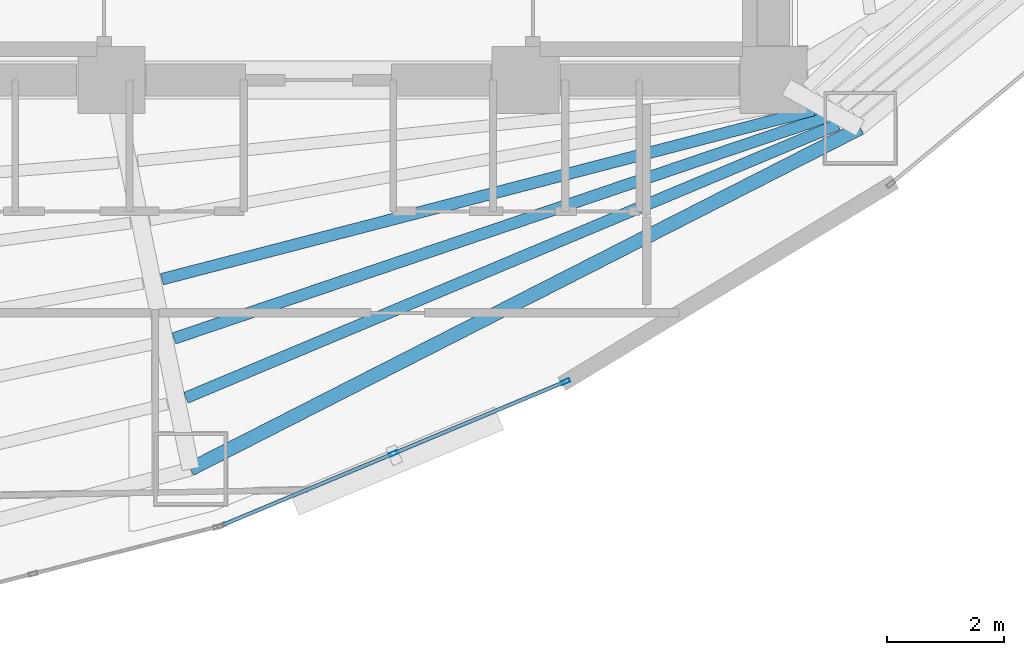
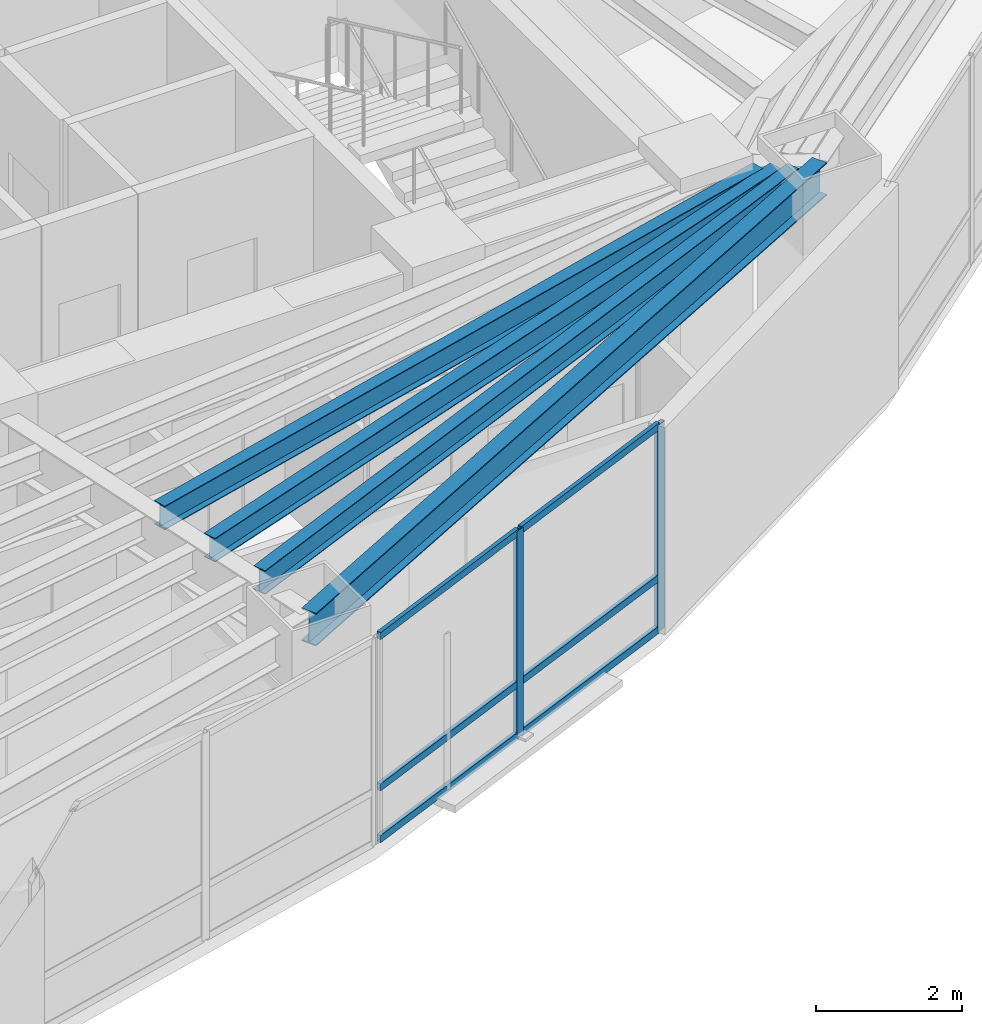
# One storey, part 5 of 19: 8 members, 4 beams, 1 element without a shape of its own.
"""IFC4 building model written with IfcOpenShell, lengths in metres."""

from ifc_helpers import new_model, si_unit, direction, frame, origin, origin_2d, place, context, subcontext, project, spatial, hollow_rectangle, i_section, extrude, material, layer, layer_set, material_profile, profile_set, type_object, element, aggregate, save


model = new_model("IFC4")

# Units and contexts
model_context = context("Model", 3, precision=1e-05, world=origin(), true_north=direction((0.0, 1.0)))
body_context = subcontext(model_context, "Body", "Model", "MODEL_VIEW")
ifc_project = project(units=[si_unit("LENGTHUNIT", "METRE"), si_unit("AREAUNIT", "SQUARE_METRE"), si_unit("VOLUMEUNIT", "CUBIC_METRE"), si_unit("PLANEANGLEUNIT", "RADIAN"), si_unit("MASSUNIT", "GRAM", prefix="KILO")], contexts=[model_context])

# Site, building, storey
site_placement = place(None, origin())
site = spatial("IfcSite", under=ifc_project, at=site_placement, CompositionType="ELEMENT")
building_placement = place(site_placement, origin())
building = spatial("IfcBuilding", under=site, at=building_placement, Name="Menara Vayukalpa", CompositionType="ELEMENT")
storey_placement = place(building_placement, frame((0.0, 0.0, 118.860107421875)))
storey = spatial("IfcBuildingStorey", under=building, at=storey_placement, Name="L29", CompositionType="ELEMENT", Elevation=118.860107421875)

# Beams
ifc_material_1 = material(Name="Steel S355", Category="steel")
ifc_material_profile_1 = material_profile(ifc_material_1, i_section(OverallWidth=0.199951171875, OverallDepth=0.39990234375, WebThickness=0.008056640625, FlangeThickness=0.012939453125, at=origin_2d()), Name="WF 400x200x8x13")
ifc_profile_set_1 = profile_set([ifc_material_profile_1], Name="Steel S355")
beam_type_1 = type_object("IfcBeamType", Name="BM-SJ2", PredefinedType="JOIST", material=ifc_profile_set_1)
beam_1_placement = place(storey_placement, frame((22.918701171875, 13.78662109375, 3.269775390625), z_axis=(0.967921665574, 0.251252162802, 0.0), x_axis=(-0.251252162802, 0.967921665574, 0.0)))
element("IfcBeam", 1, at=beam_1_placement, inside=storey, type_object=beam_type_1, Name="L29 Secondary Floor Joist SJ08-3", PredefinedType="JOIST", context=body_context, shape_type="SweptSolid", body=[
    extrude(i_section(OverallWidth=0.199951171875, OverallDepth=0.39990234375, WebThickness=0.008056640625, FlangeThickness=0.012939453125, at=origin_2d()), origin(), (0.0, 0.0, 1.0), 11.539794921875),
])
beam_2_placement = place(storey_placement, frame((23.12451171875, 12.77099609375, 3.269775390625), z_axis=(0.94694934653, 0.321382848183, 0.0), x_axis=(-0.321382848183, 0.94694934653, 0.0)))
element("IfcBeam", 2, at=beam_2_placement, inside=storey, type_object=beam_type_1, Name="L29 Secondary Floor Joist SJ08-4", PredefinedType="JOIST", context=body_context, shape_type="SweptSolid", body=[
    extrude(i_section(OverallWidth=0.199951171875, OverallDepth=0.39990234375, WebThickness=0.008056640625, FlangeThickness=0.012939453125, at=origin_2d()), origin(), (0.0, 0.0, 1.0), 11.7958984375),
])
beam_3_placement = place(storey_placement, frame((23.32958984375, 11.75439453125, 3.269775390625), z_axis=(0.922216637658, 0.386673600375, 0.0), x_axis=(-0.386673600375, 0.922216637658, 0.0)))
element("IfcBeam", 3, at=beam_3_placement, inside=storey, type_object=beam_type_1, Name="L29 Secondary Floor Joist SJ08-5", PredefinedType="JOIST", context=body_context, shape_type="SweptSolid", body=[
    extrude(i_section(OverallWidth=0.199951171875, OverallDepth=0.39990234375, WebThickness=0.008056640625, FlangeThickness=0.012939453125, at=origin_2d()), origin(), (0.0, 0.0, 1.0), 12.114501953125),
])
ifc_material_2 = material(Name="Steel S355", Category="steel")
ifc_material_profile_2 = material_profile(ifc_material_2, i_section(OverallWidth=0.239990234375, OverallDepth=0.550048828125, WebThickness=0.010986328125, FlangeThickness=0.01904296875, at=origin_2d()), Name="WF 550x240x11x19")
ifc_profile_set_2 = profile_set([ifc_material_profile_2], Name="Steel S355")
beam_type_2 = type_object("IfcBeamType", Name="BM-SP2", PredefinedType="SPANDREL", material=ifc_profile_set_2)
beam_4_placement = place(storey_placement, frame((23.408203125, 10.53271484375, 3.19482421875), z_axis=(0.891097345221, 0.453812209333, 0.0), x_axis=(-0.453812209333, 0.891097345221, 0.0)))
element("IfcBeam", 4, at=beam_4_placement, inside=storey, type_object=beam_type_2, Name="L29 Perimeter Spandrel Beam SP08", PredefinedType="SPANDREL", context=body_context, shape_type="SweptSolid", body=[
    extrude(i_section(OverallWidth=0.239990234375, OverallDepth=0.550048828125, WebThickness=0.010986328125, FlangeThickness=0.01904296875, at=origin_2d()), origin(), (0.0, 0.0, 1.0), 12.88134765625),
])

# Curtain wall, members
ifc_material_3 = material(Name="Anodised Terracotta Aluminium Alloy 6063-T6", Category="masonry")
ifc_layer = layer(ifc_material_3, 0.14990234375)
ifc_layer_set = layer_set([ifc_layer], Name="Anodised Terracotta Aluminium Alloy 6063-T6")
curtain_wall_type = type_object("IfcCurtainWallType", Name="CW-CW3", PredefinedType="USERDEFINED", material=ifc_layer_set)
curtain_wall_placement = place(storey_placement, origin())
curtain_wall = element("IfcCurtainWall", 5, at=curtain_wall_placement, inside=storey, type_object=curtain_wall_type, Name="L29 Mid Rise Terracotta Ribbon Curtain Wall CW3 17", ObjectType="UNITISED", PredefinedType="USERDEFINED")
ifc_material_4 = material(Name="Anodised Terracotta Aluminium Alloy 6063-T6", Category="masonry")
ifc_material_profile_3 = material_profile(ifc_material_4, hollow_rectangle(XDim=0.06494140625, YDim=0.14990234375, WallThickness=0.00341796875, at=origin_2d()), Name="ALU 65x150x3.5")
ifc_profile_set_3 = profile_set([ifc_material_profile_3], Name="Anodised Terracotta Aluminium Alloy 6063-T6")
member_type_1 = type_object("IfcMemberType", Name="CWM-CW3", PredefinedType="MULLION", material=ifc_profile_set_3)
member_1_placement = place(storey_placement, frame((26.88671875, 10.798583984375, 0.0), z_axis=(0.0, 0.0, 1.0), x_axis=(-0.38589358437, 0.922543300632, 0.0)))
member_1 = element("IfcMember", 6, at=member_1_placement, type_object=member_type_1, Name="CW3 mullion 2", PredefinedType="MULLION", context=body_context, shape_type="SweptSolid", body=[
    extrude(hollow_rectangle(XDim=0.06494140625, YDim=0.14990234375, WallThickness=0.00341796875, at=origin_2d()), origin(), (0.0, 0.0, 1.0), 3.469970703125),
])
member_2_placement = place(storey_placement, frame((29.8359375, 12.0322265625, 0.0), z_axis=(0.0, 0.0, 1.0), x_axis=(-0.38589358437, 0.922543300632, 0.0)))
member_2 = element("IfcMember", 7, at=member_2_placement, type_object=member_type_1, Name="CW3 mullion 3", PredefinedType="MULLION", context=body_context, shape_type="SweptSolid", body=[
    extrude(hollow_rectangle(XDim=0.06494140625, YDim=0.14990234375, WallThickness=0.00341796875, at=origin_2d()), origin(), (0.0, 0.0, 1.0), 3.469970703125),
])
ifc_material_5 = material(Name="Anodised Terracotta Aluminium Alloy 6063-T6", Category="masonry")
ifc_material_profile_4 = material_profile(ifc_material_5, hollow_rectangle(XDim=0.06494140625, YDim=0.1201171875, WallThickness=0.00341796875, at=origin_2d()), Name="ALU 65x120x3.5")
ifc_profile_set_4 = profile_set([ifc_material_profile_4], Name="Anodised Terracotta Aluminium Alloy 6063-T6")
member_type_2 = type_object("IfcMemberType", Name="CWT-CW3", PredefinedType="USERDEFINED", material=ifc_profile_set_4)
member_3_placement = place(storey_placement, frame((23.96728515625, 9.577392578125, 0.032470703125), z_axis=(0.922529423765, 0.385926757673, 0.0), x_axis=(-0.385926757673, 0.922529423765, 0.0)))
member_3 = element("IfcMember", 8, at=member_3_placement, type_object=member_type_2, Name="CW3 transom 1.1", ObjectType="TRANSOM", PredefinedType="USERDEFINED", context=body_context, shape_type="SweptSolid", body=[
    extrude(hollow_rectangle(XDim=0.06494140625, YDim=0.1201171875, WallThickness=0.00341796875, at=origin_2d()), origin(), (0.0, 0.0, 1.0), 3.132080078125),
])
member_4_placement = place(storey_placement, frame((23.96728515625, 9.577392578125, 0.89990234375), z_axis=(0.922529423765, 0.385926757673, 0.0), x_axis=(-0.385926757673, 0.922529423765, 0.0)))
member_4 = element("IfcMember", 9, at=member_4_placement, type_object=member_type_2, Name="CW3 transom 1.2", ObjectType="TRANSOM", PredefinedType="USERDEFINED", context=body_context, shape_type="SweptSolid", body=[
    extrude(hollow_rectangle(XDim=0.06494140625, YDim=0.1201171875, WallThickness=0.00341796875, at=origin_2d()), origin(), (0.0, 0.0, 1.0), 3.132080078125),
])
member_5_placement = place(storey_placement, frame((23.96728515625, 9.577392578125, 3.4375), z_axis=(0.922529423765, 0.385926757673, 0.0), x_axis=(-0.385926757673, 0.922529423765, 0.0)))
member_5 = element("IfcMember", 10, at=member_5_placement, type_object=member_type_2, Name="CW3 transom 1.3", ObjectType="TRANSOM", PredefinedType="USERDEFINED", context=body_context, shape_type="SweptSolid", body=[
    extrude(hollow_rectangle(XDim=0.06494140625, YDim=0.1201171875, WallThickness=0.00341796875, at=origin_2d()), origin(), (0.0, 0.0, 1.0), 3.132080078125),
])
member_6_placement = place(storey_placement, frame((26.916748046875, 10.81103515625, 0.032470703125), z_axis=(0.922517812792, 0.385954511673, 0.0), x_axis=(-0.385954511673, 0.922517812792, 0.0)))
member_6 = element("IfcMember", 11, at=member_6_placement, type_object=member_type_2, Name="CW3 transom 2.1", ObjectType="TRANSOM", PredefinedType="USERDEFINED", context=body_context, shape_type="SweptSolid", body=[
    extrude(hollow_rectangle(XDim=0.06494140625, YDim=0.1201171875, WallThickness=0.00341796875, at=origin_2d()), origin(), (0.0, 0.0, 1.0), 3.1318359375),
])
member_7_placement = place(storey_placement, frame((26.916748046875, 10.81103515625, 0.89990234375), z_axis=(0.922517812792, 0.385954511673, 0.0), x_axis=(-0.385954511673, 0.922517812792, 0.0)))
member_7 = element("IfcMember", 12, at=member_7_placement, type_object=member_type_2, Name="CW3 transom 2.2", ObjectType="TRANSOM", PredefinedType="USERDEFINED", context=body_context, shape_type="SweptSolid", body=[
    extrude(hollow_rectangle(XDim=0.06494140625, YDim=0.1201171875, WallThickness=0.00341796875, at=origin_2d()), origin(), (0.0, 0.0, 1.0), 3.1318359375),
])
member_8_placement = place(storey_placement, frame((26.916748046875, 10.81103515625, 3.4375), z_axis=(0.922517812792, 0.385954511673, 0.0), x_axis=(-0.385954511673, 0.922517812792, 0.0)))
member_8 = element("IfcMember", 13, at=member_8_placement, type_object=member_type_2, Name="CW3 transom 2.3", ObjectType="TRANSOM", PredefinedType="USERDEFINED", context=body_context, shape_type="SweptSolid", body=[
    extrude(hollow_rectangle(XDim=0.06494140625, YDim=0.1201171875, WallThickness=0.00341796875, at=origin_2d()), origin(), (0.0, 0.0, 1.0), 3.1318359375),
])
aggregate(curtain_wall, [member_1, member_2, member_3, member_4, member_5, member_6, member_7, member_8])

save(model, "model.ifc")
